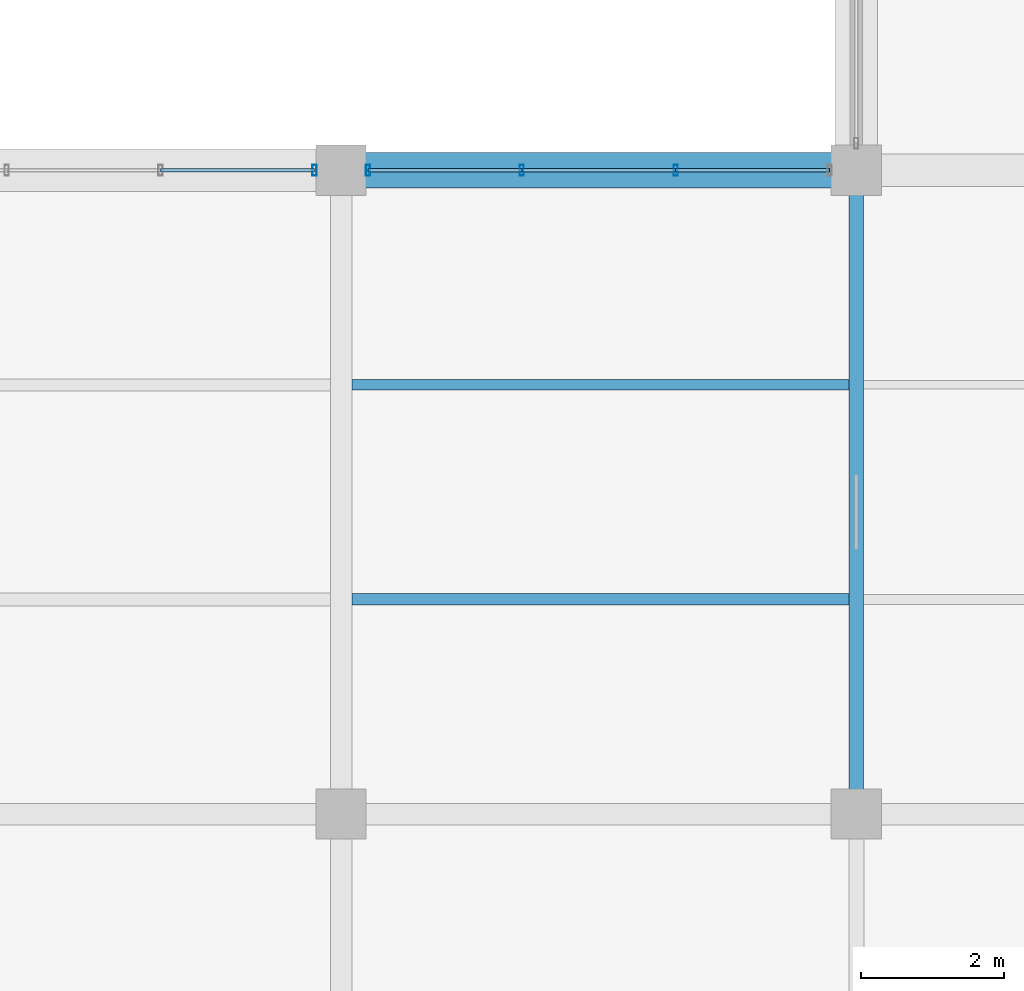
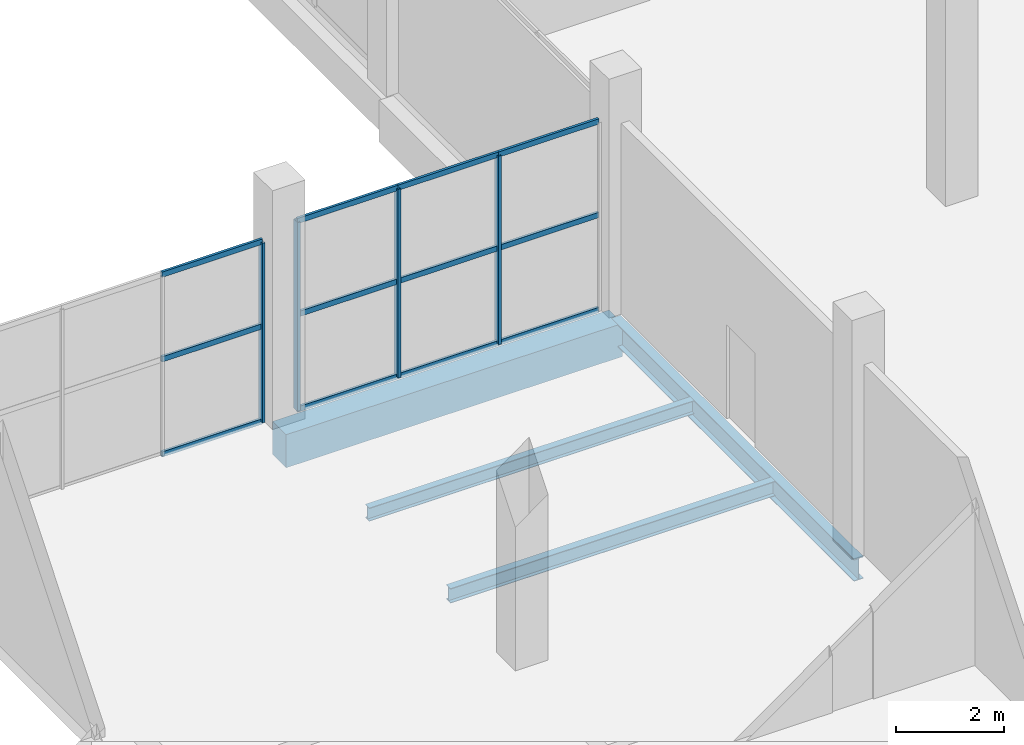
# One storey, part 103 of 147: 16 members, 4 beams, 2 elements without a shape of their own.
"""IFC4 building model written with IfcOpenShell, lengths in metres."""

from ifc_helpers import new_model, si_unit, direction, frame, origin, origin_2d, place, context, subcontext, project, spatial, rectangle, hollow_rectangle, i_section, extrude, material, layer, layer_set, material_profile, profile_set, type_object, element, aggregate, save


model = new_model("IFC4")

# Units and contexts
model_context = context("Model", 3, precision=1e-05, world=origin(), true_north=direction((0.0, 1.0)))
body_context = subcontext(model_context, "Body", "Model", "MODEL_VIEW")
ifc_project = project(units=[si_unit("LENGTHUNIT", "METRE"), si_unit("AREAUNIT", "SQUARE_METRE"), si_unit("VOLUMEUNIT", "CUBIC_METRE"), si_unit("PLANEANGLEUNIT", "RADIAN"), si_unit("MASSUNIT", "GRAM", prefix="KILO")], contexts=[model_context])

# Site, building, storey
site_placement = place(None, origin())
site = spatial("IfcSite", under=ifc_project, at=site_placement, CompositionType="ELEMENT")
building_placement = place(site_placement, origin())
building = spatial("IfcBuilding", under=site, at=building_placement, Name="Sundgate Opera House", CompositionType="ELEMENT")
storey_placement = place(building_placement, frame((0.0, 0.0, 6.0)))
storey = spatial("IfcBuildingStorey", under=building, at=storey_placement, Name="L01", CompositionType="ELEMENT", Elevation=6.0)

# Beams
ifc_material_1 = material(Name="Steel S355J2", Category="steel")
ifc_material_profile_1 = material_profile(ifc_material_1, i_section(OverallWidth=0.199951171875, OverallDepth=0.5, WebThickness=0.01025390625, FlangeThickness=0.01611328125, at=origin_2d()), Name="IPE 500")
ifc_profile_set_1 = profile_set([ifc_material_profile_1], Name="Steel S355J2")
beam_type_1 = type_object("IfcBeamType", Name="BM-GR-IPE500", PredefinedType="BEAM", material=ifc_profile_set_1)
beam_1_placement = place(storey_placement, frame((153.0, 78.0, -0.550048828125), z_axis=(0.0, 1.0, 0.0), x_axis=(-1.0, 0.0, 0.0)))
element("IfcBeam", 1, at=beam_1_placement, inside=storey, type_object=beam_type_1, Name="L01 Primary N-S Girder B1242", PredefinedType="BEAM", context=body_context, shape_type="SweptSolid", body=[
    extrude(i_section(OverallWidth=0.199951171875, OverallDepth=0.5, WebThickness=0.01025390625, FlangeThickness=0.01611328125, at=origin_2d()), origin(), (0.0, 0.0, 1.0), 9.0),
])
ifc_material_2 = material(Name="Steel S355J2", Category="steel")
ifc_material_profile_2 = material_profile(ifc_material_2, i_section(OverallWidth=0.14990234375, OverallDepth=0.300048828125, WebThickness=0.007080078125, FlangeThickness=0.0107421875, at=origin_2d()), Name="IPE 300")
ifc_profile_set_2 = profile_set([ifc_material_profile_2], Name="Steel S355J2")
beam_type_2 = type_object("IfcBeamType", Name="BM-JS-IPE300", PredefinedType="JOIST", material=ifc_profile_set_2)
beam_2_placement = place(storey_placement, frame((145.949951171875, 84.0, -0.449951171875), z_axis=(1.0, 0.0, 0.0), x_axis=(0.0, 1.0, 0.0)))
element("IfcBeam", 2, at=beam_2_placement, inside=storey, type_object=beam_type_2, Name="L01 Secondary Floor Joist B1656", PredefinedType="JOIST", context=body_context, shape_type="SweptSolid", body=[
    extrude(i_section(OverallWidth=0.14990234375, OverallDepth=0.300048828125, WebThickness=0.007080078125, FlangeThickness=0.0107421875, at=origin_2d()), origin(), (0.0, 0.0, 1.0), 6.949951171875),
])
ifc_material_3 = material(Name="Steel S355J2", Category="steel")
ifc_material_profile_3 = material_profile(ifc_material_3, i_section(OverallWidth=0.159912109375, OverallDepth=0.330078125, WebThickness=0.007568359375, FlangeThickness=0.011474609375, at=origin_2d()), Name="IPE 330")
ifc_profile_set_3 = profile_set([ifc_material_profile_3], Name="Steel S355J2")
beam_type_3 = type_object("IfcBeamType", Name="BM-JS-IPE330", PredefinedType="JOIST", material=ifc_profile_set_3)
beam_3_placement = place(storey_placement, frame((145.949951171875, 81.0, -0.465087890625), z_axis=(1.0, 0.0, 0.0), x_axis=(0.0, 1.0, 0.0)))
element("IfcBeam", 3, at=beam_3_placement, inside=storey, type_object=beam_type_3, Name="L01 Secondary Floor Joist B1655", PredefinedType="JOIST", context=body_context, shape_type="SweptSolid", body=[
    extrude(i_section(OverallWidth=0.159912109375, OverallDepth=0.330078125, WebThickness=0.007568359375, FlangeThickness=0.011474609375, at=origin_2d()), origin(), (0.0, 0.0, 1.0), 6.949951171875),
])
ifc_material_4 = material(Name="Concrete C40/50", Category="concrete")
ifc_material_profile_4 = material_profile(ifc_material_4, rectangle(XDim=0.5, YDim=0.75, at=origin_2d()), Name="RC 500x750")
ifc_profile_set_4 = profile_set([ifc_material_profile_4], Name="Concrete C40/50")
beam_type_4 = type_object("IfcBeamType", Name="BM-RC-500x750", PredefinedType="BEAM", material=ifc_profile_set_4)
beam_4_placement = place(storey_placement, frame((145.800048828125, 87.0, -0.675048828125), z_axis=(1.0, 0.0, 0.0), x_axis=(0.0, 1.0, 0.0)))
element("IfcBeam", 4, at=beam_4_placement, inside=storey, type_object=beam_type_4, Name="L01 Primary E-W Girder B1398", PredefinedType="BEAM", context=body_context, shape_type="SweptSolid", body=[
    extrude(rectangle(XDim=0.5, YDim=0.75, at=origin_2d()), origin(), (0.0, 0.0, 1.0), 7.199951171875),
])

# Curtain wall, member
ifc_material_5 = material(Name="Anodized aluminium and low-iron glass", Category="aluminium")
ifc_layer = layer(ifc_material_5, 0.159912109375)
ifc_layer_set = layer_set([ifc_layer], Name="Anodized aluminium and low-iron glass")
curtain_wall_type = type_object("IfcCurtainWallType", Name="CW-STUDIO-DARK", PredefinedType="NOTDEFINED", material=ifc_layer_set)
curtain_wall_1_placement = place(storey_placement, origin())
curtain_wall_1 = element("IfcCurtainWall", 5, at=curtain_wall_1_placement, inside=storey, type_object=curtain_wall_type, Name="L01 Curtain Wall CW098", PredefinedType="NOTDEFINED")
ifc_material_6 = material(Name="Anodized aluminium EN AW-6063", Category="aluminium")
ifc_material_profile_5 = material_profile(ifc_material_6, hollow_rectangle(XDim=0.06005859375, YDim=0.14990234375, WallThickness=0.00390625, at=origin_2d()), Name="CWM 150x60x4")
ifc_profile_set_5 = profile_set([ifc_material_profile_5], Name="Anodized aluminium EN AW-6063")
member_type_1 = type_object("IfcMemberType", Name="CWM-ALU-150x60", PredefinedType="MULLION", material=ifc_profile_set_5)
member_1_placement = place(storey_placement, frame((145.425048828125, 87.0, 0.0), z_axis=(0.0, 0.0, 1.0), x_axis=(1.0, 0.0, 0.0)))
member_1 = element("IfcMember", 6, at=member_1_placement, type_object=member_type_1, Name="CW098 Mullion 4", PredefinedType="MULLION", context=body_context, shape_type="SweptSolid", body=[
    extrude(hollow_rectangle(XDim=0.06005859375, YDim=0.14990234375, WallThickness=0.00390625, at=origin_2d()), origin(), (0.0, 0.0, 1.0), 4.06494140625),
])

# Curtain wall, members
curtain_wall_2_placement = place(storey_placement, origin())
curtain_wall_2 = element("IfcCurtainWall", 7, at=curtain_wall_2_placement, inside=storey, type_object=curtain_wall_type, Name="L01 Curtain Wall CW100", PredefinedType="NOTDEFINED")
member_2_placement = place(storey_placement, frame((146.175048828125, 87.0, 0.0), z_axis=(0.0, 0.0, 1.0), x_axis=(1.0, 0.0, 0.0)))
member_2 = element("IfcMember", 8, at=member_2_placement, type_object=member_type_1, Name="CW100 Mullion 1", PredefinedType="MULLION", context=body_context, shape_type="SweptSolid", body=[
    extrude(hollow_rectangle(XDim=0.06005859375, YDim=0.14990234375, WallThickness=0.00390625, at=origin_2d()), origin(), (0.0, 0.0, 1.0), 4.264892578125),
])
member_3_placement = place(storey_placement, frame((148.324951171875, 87.0, 0.0), z_axis=(0.0, 0.0, 1.0), x_axis=(1.0, 0.0, 0.0)))
member_3 = element("IfcMember", 9, at=member_3_placement, type_object=member_type_1, Name="CW100 Mullion 2", PredefinedType="MULLION", context=body_context, shape_type="SweptSolid", body=[
    extrude(hollow_rectangle(XDim=0.06005859375, YDim=0.14990234375, WallThickness=0.00390625, at=origin_2d()), origin(), (0.0, 0.0, 1.0), 4.264892578125),
])
member_4_placement = place(storey_placement, frame((150.47509765625, 87.0, 0.0), z_axis=(0.0, 0.0, 1.0), x_axis=(1.0, 0.0, 0.0)))
member_4 = element("IfcMember", 10, at=member_4_placement, type_object=member_type_1, Name="CW100 Mullion 3", PredefinedType="MULLION", context=body_context, shape_type="SweptSolid", body=[
    extrude(hollow_rectangle(XDim=0.06005859375, YDim=0.14990234375, WallThickness=0.00390625, at=origin_2d()), origin(), (0.0, 0.0, 1.0), 4.264892578125),
])

# Member
ifc_material_7 = material(Name="Anodized aluminium EN AW-6063", Category="aluminium")
ifc_material_profile_6 = material_profile(ifc_material_7, hollow_rectangle(XDim=0.054931640625, YDim=0.1201171875, WallThickness=0.00390625, at=origin_2d()), Name="CWT 120x55x4")
ifc_profile_set_6 = profile_set([ifc_material_profile_6], Name="Anodized aluminium EN AW-6063")
member_type_2 = type_object("IfcMemberType", Name="CWT-ALU-120x55", PredefinedType="USERDEFINED", material=ifc_profile_set_6)
member_5_placement = place(storey_placement, frame((143.27490234375, 87.0, 0.0), z_axis=(1.0, 0.0, 0.0), x_axis=(0.0, 1.0, 0.0)))
member_5 = element("IfcMember", 11, at=member_5_placement, type_object=member_type_2, Name="CW098 Transom 7", ObjectType="TRANSOM", PredefinedType="USERDEFINED", context=body_context, shape_type="SweptSolid", body=[
    extrude(hollow_rectangle(XDim=0.054931640625, YDim=0.1201171875, WallThickness=0.00390625, at=origin_2d()), origin(), (0.0, 0.0, 1.0), 2.150146484375),
])

member_6_placement = place(storey_placement, frame((143.27490234375, 87.0, 2.14990234375), z_axis=(1.0, 0.0, 0.0), x_axis=(0.0, 1.0, 0.0)))
member_6 = element("IfcMember", 12, at=member_6_placement, type_object=member_type_2, Name="CW098 Transom 8", ObjectType="TRANSOM", PredefinedType="USERDEFINED", context=body_context, shape_type="SweptSolid", body=[
    extrude(hollow_rectangle(XDim=0.054931640625, YDim=0.1201171875, WallThickness=0.00390625, at=origin_2d()), origin(), (0.0, 0.0, 1.0), 2.150146484375),
])

member_7_placement = place(storey_placement, frame((143.27490234375, 87.0, 4.06494140625), z_axis=(1.0, 0.0, 0.0), x_axis=(0.0, 1.0, 0.0)))
member_7 = element("IfcMember", 13, at=member_7_placement, type_object=member_type_2, Name="CW098 Transom 9", ObjectType="TRANSOM", PredefinedType="USERDEFINED", context=body_context, shape_type="SweptSolid", body=[
    extrude(hollow_rectangle(XDim=0.054931640625, YDim=0.1201171875, WallThickness=0.00390625, at=origin_2d()), origin(), (0.0, 0.0, 1.0), 2.150146484375),
])

aggregate(curtain_wall_1, [member_1, member_5, member_6, member_7])

member_8_placement = place(storey_placement, frame((146.175048828125, 87.0, 0.0), z_axis=(1.0, 0.0, 0.0), x_axis=(0.0, 1.0, 0.0)))
member_8 = element("IfcMember", 14, at=member_8_placement, type_object=member_type_2, Name="CW100 Transom 1", ObjectType="TRANSOM", PredefinedType="USERDEFINED", context=body_context, shape_type="SweptSolid", body=[
    extrude(hollow_rectangle(XDim=0.054931640625, YDim=0.1201171875, WallThickness=0.00390625, at=origin_2d()), origin(), (0.0, 0.0, 1.0), 2.14990234375),
])

member_9_placement = place(storey_placement, frame((146.175048828125, 87.0, 2.14990234375), z_axis=(1.0, 0.0, 0.0), x_axis=(0.0, 1.0, 0.0)))
member_9 = element("IfcMember", 15, at=member_9_placement, type_object=member_type_2, Name="CW100 Transom 2", ObjectType="TRANSOM", PredefinedType="USERDEFINED", context=body_context, shape_type="SweptSolid", body=[
    extrude(hollow_rectangle(XDim=0.054931640625, YDim=0.1201171875, WallThickness=0.00390625, at=origin_2d()), origin(), (0.0, 0.0, 1.0), 2.14990234375),
])

member_10_placement = place(storey_placement, frame((146.175048828125, 87.0, 4.264892578125), z_axis=(1.0, 0.0, 0.0), x_axis=(0.0, 1.0, 0.0)))
member_10 = element("IfcMember", 16, at=member_10_placement, type_object=member_type_2, Name="CW100 Transom 3", ObjectType="TRANSOM", PredefinedType="USERDEFINED", context=body_context, shape_type="SweptSolid", body=[
    extrude(hollow_rectangle(XDim=0.054931640625, YDim=0.1201171875, WallThickness=0.00390625, at=origin_2d()), origin(), (0.0, 0.0, 1.0), 2.14990234375),
])

member_11_placement = place(storey_placement, frame((148.324951171875, 87.0, 0.0), z_axis=(1.0, 0.0, 0.0), x_axis=(0.0, 1.0, 0.0)))
member_11 = element("IfcMember", 17, at=member_11_placement, type_object=member_type_2, Name="CW100 Transom 4", ObjectType="TRANSOM", PredefinedType="USERDEFINED", context=body_context, shape_type="SweptSolid", body=[
    extrude(hollow_rectangle(XDim=0.054931640625, YDim=0.1201171875, WallThickness=0.00390625, at=origin_2d()), origin(), (0.0, 0.0, 1.0), 2.150146484375),
])

member_12_placement = place(storey_placement, frame((148.324951171875, 87.0, 2.14990234375), z_axis=(1.0, 0.0, 0.0), x_axis=(0.0, 1.0, 0.0)))
member_12 = element("IfcMember", 18, at=member_12_placement, type_object=member_type_2, Name="CW100 Transom 5", ObjectType="TRANSOM", PredefinedType="USERDEFINED", context=body_context, shape_type="SweptSolid", body=[
    extrude(hollow_rectangle(XDim=0.054931640625, YDim=0.1201171875, WallThickness=0.00390625, at=origin_2d()), origin(), (0.0, 0.0, 1.0), 2.150146484375),
])

member_13_placement = place(storey_placement, frame((148.324951171875, 87.0, 4.264892578125), z_axis=(1.0, 0.0, 0.0), x_axis=(0.0, 1.0, 0.0)))
member_13 = element("IfcMember", 19, at=member_13_placement, type_object=member_type_2, Name="CW100 Transom 6", ObjectType="TRANSOM", PredefinedType="USERDEFINED", context=body_context, shape_type="SweptSolid", body=[
    extrude(hollow_rectangle(XDim=0.054931640625, YDim=0.1201171875, WallThickness=0.00390625, at=origin_2d()), origin(), (0.0, 0.0, 1.0), 2.150146484375),
])

member_14_placement = place(storey_placement, frame((150.47509765625, 87.0, 0.0), z_axis=(1.0, 0.0, 0.0), x_axis=(0.0, 1.0, 0.0)))
member_14 = element("IfcMember", 20, at=member_14_placement, type_object=member_type_2, Name="CW100 Transom 7", ObjectType="TRANSOM", PredefinedType="USERDEFINED", context=body_context, shape_type="SweptSolid", body=[
    extrude(hollow_rectangle(XDim=0.054931640625, YDim=0.1201171875, WallThickness=0.00390625, at=origin_2d()), origin(), (0.0, 0.0, 1.0), 2.14990234375),
])

member_15_placement = place(storey_placement, frame((150.47509765625, 87.0, 2.14990234375), z_axis=(1.0, 0.0, 0.0), x_axis=(0.0, 1.0, 0.0)))
member_15 = element("IfcMember", 21, at=member_15_placement, type_object=member_type_2, Name="CW100 Transom 8", ObjectType="TRANSOM", PredefinedType="USERDEFINED", context=body_context, shape_type="SweptSolid", body=[
    extrude(hollow_rectangle(XDim=0.054931640625, YDim=0.1201171875, WallThickness=0.00390625, at=origin_2d()), origin(), (0.0, 0.0, 1.0), 2.14990234375),
])

member_16_placement = place(storey_placement, frame((150.47509765625, 87.0, 4.264892578125), z_axis=(1.0, 0.0, 0.0), x_axis=(0.0, 1.0, 0.0)))
member_16 = element("IfcMember", 22, at=member_16_placement, type_object=member_type_2, Name="CW100 Transom 9", ObjectType="TRANSOM", PredefinedType="USERDEFINED", context=body_context, shape_type="SweptSolid", body=[
    extrude(hollow_rectangle(XDim=0.054931640625, YDim=0.1201171875, WallThickness=0.00390625, at=origin_2d()), origin(), (0.0, 0.0, 1.0), 2.14990234375),
])

aggregate(curtain_wall_2, [member_2, member_3, member_4, member_8, member_9, member_10, member_11, member_12, member_13, member_14, member_15, member_16])

save(model, "model.ifc")
